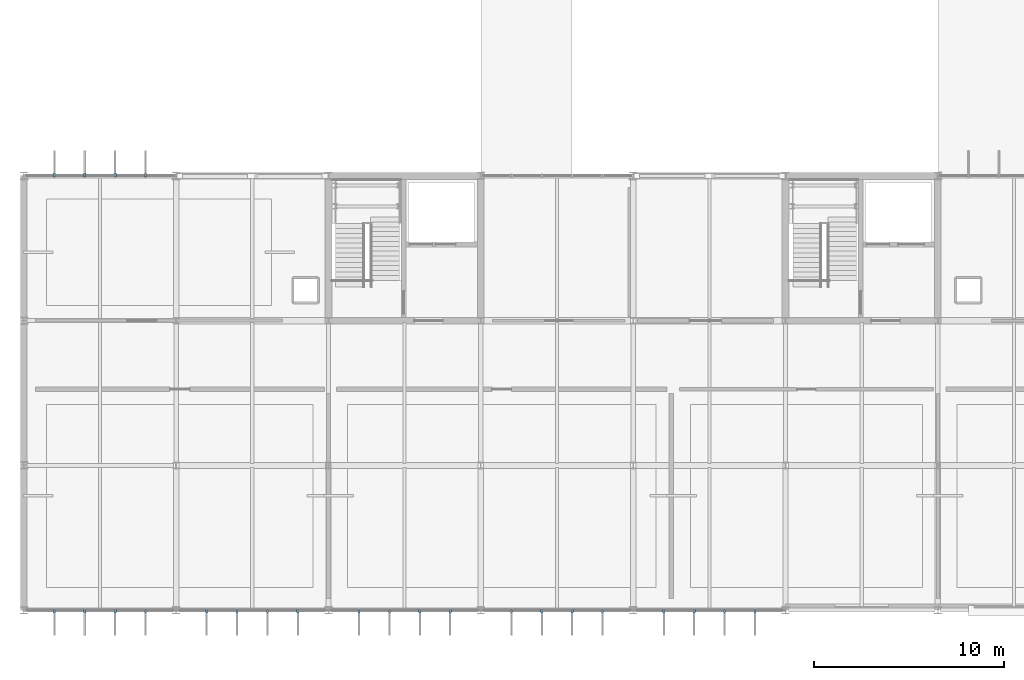
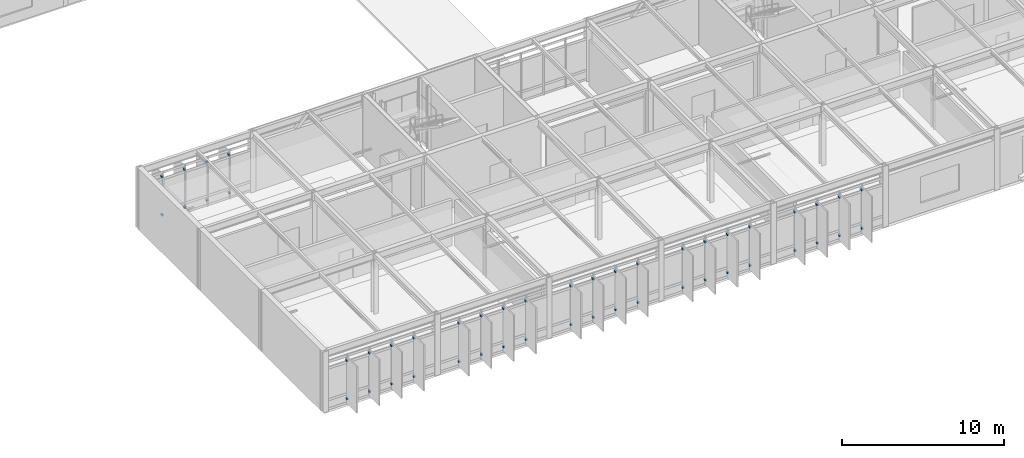
# One storey, part 91 of 100: 48 discrete accessories.
"""IFC4 building model written with IfcOpenShell, lengths in metres."""

from ifc_helpers import new_model, si_unit, direction, frame, origin, origin_2d, place, context, subcontext, project, spatial, rectangle, extrude, material, layer, layer_set, type_object, element, save


model = new_model("IFC4")

# Units and contexts
model_context = context("Model", 3, precision=1e-05, world=origin(), true_north=direction((0.0, 1.0)))
body_context = subcontext(model_context, "Body", "Model", "MODEL_VIEW")
ifc_project = project(units=[si_unit("LENGTHUNIT", "METRE"), si_unit("AREAUNIT", "SQUARE_METRE"), si_unit("VOLUMEUNIT", "CUBIC_METRE"), si_unit("PLANEANGLEUNIT", "RADIAN"), si_unit("MASSUNIT", "GRAM", prefix="KILO")], contexts=[model_context])

# Site, building, storey
site_placement = place(None, origin())
site = spatial("IfcSite", under=ifc_project, at=site_placement, CompositionType="ELEMENT")
building_placement = place(site_placement, origin())
building = spatial("IfcBuilding", under=site, at=building_placement, Name="Zulena Civic Courthouse", CompositionType="ELEMENT")
storey_placement = place(building_placement, frame((0.0, 0.0, 20.39990234375)))
storey = spatial("IfcBuildingStorey", under=building, at=storey_placement, Name="L04", CompositionType="ELEMENT", Elevation=20.39990234375)

# Discrete accessories
ifc_material = material(Name="Gold anodised architectural aluminium AA6063-T6", Category="aluminium")
ifc_layer = layer(ifc_material, 0.1201171875)
ifc_layer_set = layer_set([ifc_layer], Name="Gold anodised architectural aluminium AA6063-T6")
discrete_accessory_type = type_object("IfcDiscreteAccessoryType", Name="FinOutriggerBracket", PredefinedType="BRACKET", material=ifc_layer_set)
for number, where, z_axis, x_axis, name in (
    (1, (5.607177734375, 22.844970703125, 0.340087890625), (0.0, 0.0, 1.0), (0.0, 1.0, 0.0), "brk:V2:L04:1:0:1:20.80"),
    (2, (5.607177734375, 22.844970703125, 3.22998046875), (0.0, 0.0, 1.0), (0.0, 1.0, 0.0), "brk:V2:L04:1:0:1:23.69"),
    (3, (7.202392578125, 22.844970703125, 0.340087890625), (0.0, 0.0, 1.0), (0.0, 1.0, 0.0), "brk:V2:L04:1:0:2:20.80"),
    (4, (7.202392578125, 22.844970703125, 3.22998046875), (0.0, 0.0, 1.0), (0.0, 1.0, 0.0), "brk:V2:L04:1:0:2:23.69"),
    (5, (8.797607421875, 22.844970703125, 0.340087890625), (0.0, 0.0, 1.0), (0.0, 1.0, 0.0), "brk:V2:L04:1:0:3:20.80"),
    (6, (8.797607421875, 22.844970703125, 3.22998046875), (0.0, 0.0, 1.0), (0.0, 1.0, 0.0), "brk:V2:L04:1:0:3:23.69"),
    (7, (10.392822265625, 22.844970703125, 0.340087890625), (0.0, 0.0, 1.0), (0.0, 1.0, 0.0), "brk:V2:L04:1:0:4:20.80"),
    (8, (10.392822265625, 22.844970703125, 3.22998046875), (0.0, 0.0, 1.0), (0.0, 1.0, 0.0), "brk:V2:L04:1:0:4:23.69"),
    (9, (42.392822265625, -0.044921875, 0.340087890625), (0.0, 0.0, 1.0), (0.0, -1.0, 0.0), "brk:V2:L04:3:3:1:20.80"),
    (10, (42.392822265625, -0.044921875, 3.22998046875), (0.0, 0.0, 1.0), (0.0, -1.0, 0.0), "brk:V2:L04:3:3:1:23.69"),
    (11, (40.797607421875, -0.044921875, 0.340087890625), (0.0, 0.0, 1.0), (0.0, -1.0, 0.0), "brk:V2:L04:3:3:2:20.80"),
    (12, (40.797607421875, -0.044921875, 3.22998046875), (0.0, 0.0, 1.0), (0.0, -1.0, 0.0), "brk:V2:L04:3:3:2:23.69"),
    (13, (39.202392578125, -0.044921875, 0.340087890625), (0.0, 0.0, 1.0), (0.0, -1.0, 0.0), "brk:V2:L04:3:3:3:20.80"),
    (14, (39.202392578125, -0.044921875, 3.22998046875), (0.0, 0.0, 1.0), (0.0, -1.0, 0.0), "brk:V2:L04:3:3:3:23.69"),
    (15, (37.607177734375, -0.044921875, 0.340087890625), (0.0, 0.0, 1.0), (0.0, -1.0, 0.0), "brk:V2:L04:3:3:4:20.80"),
    (16, (37.607177734375, -0.044921875, 3.22998046875), (0.0, 0.0, 1.0), (0.0, -1.0, 0.0), "brk:V2:L04:3:3:4:23.69"),
    (17, (34.392822265625, -0.044921875, 0.340087890625), (0.0, 0.0, 1.0), (0.0, -1.0, 0.0), "brk:V2:L04:3:4:1:20.80"),
    (18, (34.392822265625, -0.044921875, 3.22998046875), (0.0, 0.0, 1.0), (0.0, -1.0, 0.0), "brk:V2:L04:3:4:1:23.69"),
    (19, (32.797607421875, -0.044921875, 0.340087890625), (0.0, 0.0, 1.0), (0.0, -1.0, 0.0), "brk:V2:L04:3:4:2:20.80"),
    (20, (32.797607421875, -0.044921875, 3.22998046875), (0.0, 0.0, 1.0), (0.0, -1.0, 0.0), "brk:V2:L04:3:4:2:23.69"),
    (21, (31.202392578125, -0.044921875, 0.340087890625), (0.0, 0.0, 1.0), (0.0, -1.0, 0.0), "brk:V2:L04:3:4:3:20.80"),
    (22, (31.202392578125, -0.044921875, 3.22998046875), (0.0, 0.0, 1.0), (0.0, -1.0, 0.0), "brk:V2:L04:3:4:3:23.69"),
    (23, (29.607177734375, -0.044921875, 0.340087890625), (0.0, 0.0, 1.0), (0.0, -1.0, 0.0), "brk:V2:L04:3:4:4:20.80"),
    (24, (29.607177734375, -0.044921875, 3.22998046875), (0.0, 0.0, 1.0), (0.0, -1.0, 0.0), "brk:V2:L04:3:4:4:23.69"),
    (25, (26.392822265625, -0.044921875, 0.340087890625), (0.0, 0.0, 1.0), (0.0, -1.0, 0.0), "brk:V2:L04:3:5:1:20.80"),
    (26, (26.392822265625, -0.044921875, 3.22998046875), (0.0, 0.0, 1.0), (0.0, -1.0, 0.0), "brk:V2:L04:3:5:1:23.69"),
    (27, (24.797607421875, -0.044921875, 0.340087890625), (0.0, 0.0, 1.0), (0.0, -1.0, 0.0), "brk:V2:L04:3:5:2:20.80"),
    (28, (24.797607421875, -0.044921875, 3.22998046875), (0.0, 0.0, 1.0), (0.0, -1.0, 0.0), "brk:V2:L04:3:5:2:23.69"),
    (29, (23.202392578125, -0.044921875, 0.340087890625), (0.0, 0.0, 1.0), (0.0, -1.0, 0.0), "brk:V2:L04:3:5:3:20.80"),
    (30, (23.202392578125, -0.044921875, 3.22998046875), (0.0, 0.0, 1.0), (0.0, -1.0, 0.0), "brk:V2:L04:3:5:3:23.69"),
    (31, (21.607177734375, -0.044921875, 0.340087890625), (0.0, 0.0, 1.0), (0.0, -1.0, 0.0), "brk:V2:L04:3:5:4:20.80"),
    (32, (21.607177734375, -0.044921875, 3.22998046875), (0.0, 0.0, 1.0), (0.0, -1.0, 0.0), "brk:V2:L04:3:5:4:23.69"),
    (33, (18.392822265625, -0.044921875, 0.340087890625), (0.0, 0.0, 1.0), (0.0, -1.0, 0.0), "brk:V2:L04:3:6:1:20.80"),
    (34, (18.392822265625, -0.044921875, 3.22998046875), (0.0, 0.0, 1.0), (0.0, -1.0, 0.0), "brk:V2:L04:3:6:1:23.69"),
    (35, (16.797607421875, -0.044921875, 0.340087890625), (0.0, 0.0, 1.0), (0.0, -1.0, 0.0), "brk:V2:L04:3:6:2:20.80"),
    (36, (16.797607421875, -0.044921875, 3.22998046875), (0.0, 0.0, 1.0), (0.0, -1.0, 0.0), "brk:V2:L04:3:6:2:23.69"),
    (37, (15.202392578125, -0.044921875, 0.340087890625), (0.0, 0.0, 1.0), (0.0, -1.0, 0.0), "brk:V2:L04:3:6:3:20.80"),
    (38, (15.202392578125, -0.044921875, 3.22998046875), (0.0, 0.0, 1.0), (0.0, -1.0, 0.0), "brk:V2:L04:3:6:3:23.69"),
    (39, (13.607177734375, -0.044921875, 0.340087890625), (0.0, 0.0, 1.0), (0.0, -1.0, 0.0), "brk:V2:L04:3:6:4:20.80"),
    (40, (13.607177734375, -0.044921875, 3.22998046875), (0.0, 0.0, 1.0), (0.0, -1.0, 0.0), "brk:V2:L04:3:6:4:23.69"),
    (41, (10.392822265625, -0.044921875, 0.340087890625), (0.0, 0.0, 1.0), (0.0, -1.0, 0.0), "brk:V2:L04:3:7:1:20.80"),
    (42, (10.392822265625, -0.044921875, 3.22998046875), (0.0, 0.0, 1.0), (0.0, -1.0, 0.0), "brk:V2:L04:3:7:1:23.69"),
    (43, (8.797607421875, -0.044921875, 0.340087890625), (0.0, 0.0, 1.0), (0.0, -1.0, 0.0), "brk:V2:L04:3:7:2:20.80"),
    (44, (8.797607421875, -0.044921875, 3.22998046875), (0.0, 0.0, 1.0), (0.0, -1.0, 0.0), "brk:V2:L04:3:7:2:23.69"),
    (45, (7.202392578125, -0.044921875, 0.340087890625), (0.0, 0.0, 1.0), (0.0, -1.0, 0.0), "brk:V2:L04:3:7:3:20.80"),
    (46, (7.202392578125, -0.044921875, 3.22998046875), (0.0, 0.0, 1.0), (0.0, -1.0, 0.0), "brk:V2:L04:3:7:3:23.69"),
    (47, (5.607177734375, -0.044921875, 0.340087890625), (0.0, 0.0, 1.0), (0.0, -1.0, 0.0), "brk:V2:L04:3:7:4:20.80"),
    (48, (5.607177734375, -0.044921875, 3.22998046875), (0.0, 0.0, 1.0), (0.0, -1.0, 0.0), "brk:V2:L04:3:7:4:23.69"),
):
    element("IfcDiscreteAccessory", number, at=place(storey_placement, frame(where, z_axis=z_axis, x_axis=x_axis)), inside=storey, type_object=discrete_accessory_type, Name=name, PredefinedType="BRACKET", context=body_context, shape_type="SweptSolid", body=[
        extrude(rectangle(XDim=0.179931640625, YDim=0.1201171875, at=origin_2d()), origin(), (0.0, 0.0, 1.0), 0.1201171875),
    ])

save(model, "model.ifc")
